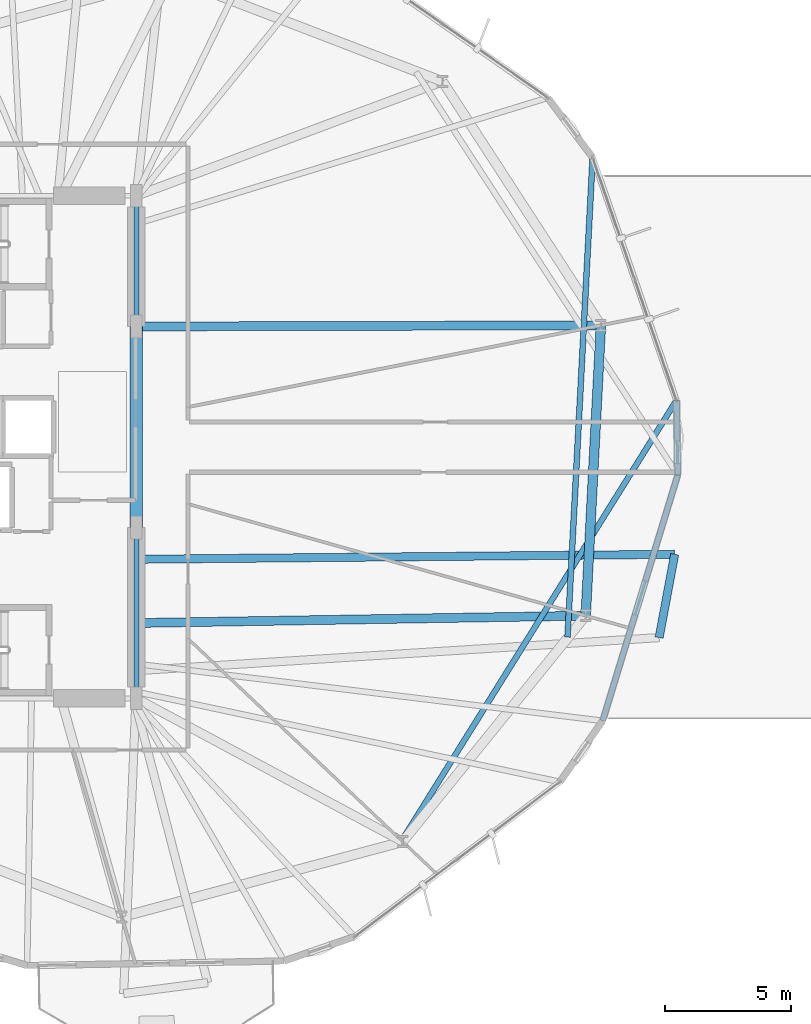
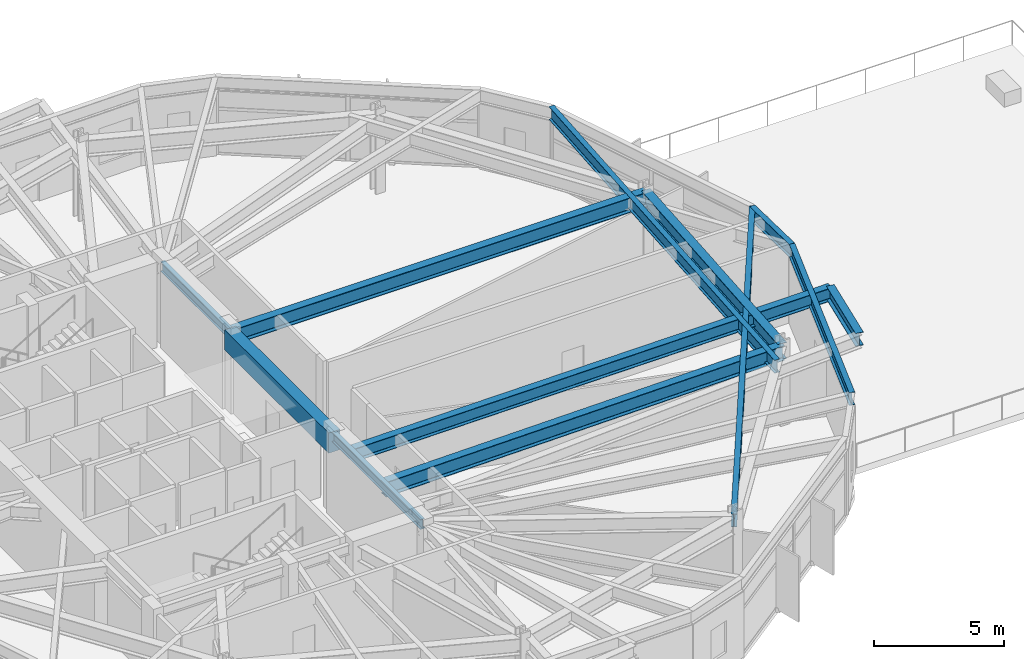
# One storey, part 9 of 23: 12 beams.
"""IFC4 building model written with IfcOpenShell, lengths in metres."""

from ifc_helpers import new_model, si_unit, direction, frame, origin, origin_2d, place, context, subcontext, project, spatial, rectangle, i_section, extrude, material, material_profile, profile_set, type_object, element, save


model = new_model("IFC4")

# Units and contexts
model_context = context("Model", 3, precision=1e-05, world=origin(), true_north=direction((0.0, 1.0)))
body_context = subcontext(model_context, "Body", "Model", "MODEL_VIEW")
ifc_project = project(units=[si_unit("LENGTHUNIT", "METRE"), si_unit("AREAUNIT", "SQUARE_METRE"), si_unit("VOLUMEUNIT", "CUBIC_METRE"), si_unit("PLANEANGLEUNIT", "RADIAN"), si_unit("MASSUNIT", "GRAM", prefix="KILO")], contexts=[model_context])

# Site, building, storey
site_placement = place(None, origin())
site = spatial("IfcSite", under=ifc_project, at=site_placement, CompositionType="ELEMENT")
building_placement = place(site_placement, origin())
building = spatial("IfcBuilding", under=site, at=building_placement, Name="Soratama Intermodal Tower", CompositionType="ELEMENT")
storey_placement = place(building_placement, frame((0.0, 0.0, 30.60009765625)))
storey = spatial("IfcBuildingStorey", under=building, at=storey_placement, Name="L06", CompositionType="ELEMENT", Elevation=30.60009765625)

# Beams
ifc_material_1 = material(Name="Structural steel ASTM A992 Grade 50", Category="steel")
ifc_material_profile_1 = material_profile(ifc_material_1, i_section(OverallWidth=0.324951171875, OverallDepth=0.615966796875, WebThickness=0.013916015625, FlangeThickness=0.021484375, FilletRadius=0.013916015625, at=origin_2d()), Name="W24X117")
ifc_profile_set_1 = profile_set([ifc_material_profile_1], Name="Structural steel ASTM A992 Grade 50")
beam_type_1 = type_object("IfcBeamType", Name="BM-CANT-W24X117", PredefinedType="BEAM", material=ifc_profile_set_1)
beam_1_placement = place(storey_placement, frame((65.39990234375, 17.4208984375, 3.391845703125), z_axis=(0.183702438916, 0.982981899089, 0.0), x_axis=(-0.982981899089, 0.183702438916, 0.0)))
element("IfcBeam", 1, at=beam_1_placement, inside=storey, type_object=beam_type_1, Name="BM-L06-CBHDR-1", PredefinedType="BEAM", context=body_context, shape_type="SweptSolid", body=[
    extrude(i_section(OverallWidth=0.324951171875, OverallDepth=0.615966796875, WebThickness=0.013916015625, FlangeThickness=0.021484375, FilletRadius=0.013916015625, at=origin_2d()), origin(), (0.0, 0.0, 1.0), 3.370361328125),
])
beam_2_placement = place(storey_placement, frame((44.639892578125, 20.537109375, 3.391845703125), z_axis=(0.999957644315, 0.009203780577, 0.0), x_axis=(-0.009203780577, 0.999957644315, 0.0)))
element("IfcBeam", 2, at=beam_2_placement, inside=storey, type_object=beam_type_1, Name="BM-L06-CANT-1-2", PredefinedType="BEAM", context=body_context, shape_type="SweptSolid", body=[
    extrude(i_section(OverallWidth=0.324951171875, OverallDepth=0.615966796875, WebThickness=0.013916015625, FlangeThickness=0.021484375, FilletRadius=0.013916015625, at=origin_2d()), origin(), (0.0, 0.0, 1.0), 21.380126953125),
])
ifc_material_2 = material(Name="Concrete f'c 56 MPa", Category="concrete")
ifc_material_profile_2 = material_profile(ifc_material_2, rectangle(XDim=0.5, YDim=0.949951171875, at=origin_2d()), Name="RC500X950")
ifc_profile_set_2 = profile_set([ifc_material_profile_2], Name="Concrete f'c 56 MPa")
beam_type_2 = type_object("IfcBeamType", Name="BM-CPL-RC500X950", PredefinedType="BEAM", material=ifc_profile_set_2)
beam_3_placement = place(storey_placement, frame((44.60009765625, 21.800048828125, 3.224853515625), z_axis=(0.0, 1.0, 0.0), x_axis=(-1.0, 0.0, 0.0)))
element("IfcBeam", 3, at=beam_3_placement, inside=storey, type_object=beam_type_2, Name="L06 Core Coupling Beam East", PredefinedType="BEAM", context=body_context, shape_type="SweptSolid", body=[
    extrude(rectangle(XDim=0.5, YDim=0.949951171875, at=origin_2d()), origin(), (0.0, 0.0, 1.0), 8.0),
])
ifc_material_3 = material(Name="Structural steel ASTM A992 Grade 50", Category="steel")
ifc_material_profile_3 = material_profile(ifc_material_3, i_section(OverallWidth=0.19091796875, OverallDepth=0.4599609375, WebThickness=0.010009765625, FlangeThickness=0.01611328125, FilletRadius=0.010986328125, at=origin_2d()), Name="W18X55")
ifc_profile_set_3 = profile_set([ifc_material_profile_3], Name="Structural steel ASTM A992 Grade 50")
beam_type_3 = type_object("IfcBeamType", Name="BM-FLR-W18X55", PredefinedType="BEAM", material=ifc_profile_set_3)
beam_4_placement = place(storey_placement, frame((44.60009765625, 15.0, 3.469970703125), z_axis=(0.0, 1.0, 0.0), x_axis=(-1.0, 0.0, 0.0)))
element("IfcBeam", 4, at=beam_4_placement, inside=storey, type_object=beam_type_3, Name="BM-L06-CRING-03", PredefinedType="BEAM", context=body_context, shape_type="SweptSolid", body=[
    extrude(i_section(OverallWidth=0.19091796875, OverallDepth=0.4599609375, WebThickness=0.010009765625, FlangeThickness=0.01611328125, FilletRadius=0.010986328125, at=origin_2d()), origin(), (0.0, 0.0, 1.0), 6.800048828125),
])
beam_5_placement = place(storey_placement, frame((44.60009765625, 29.800048828125, 3.469970703125), z_axis=(0.0, 1.0, 0.0), x_axis=(-1.0, 0.0, 0.0)))
element("IfcBeam", 5, at=beam_5_placement, inside=storey, type_object=beam_type_3, Name="BM-L06-CRING-05", PredefinedType="BEAM", context=body_context, shape_type="SweptSolid", body=[
    extrude(i_section(OverallWidth=0.19091796875, OverallDepth=0.4599609375, WebThickness=0.010009765625, FlangeThickness=0.01611328125, FilletRadius=0.010986328125, at=origin_2d()), origin(), (0.0, 0.0, 1.0), 5.199951171875),
])
ifc_material_4 = material(Name="Structural steel ASTM A992 Grade 50", Category="steel")
ifc_material_profile_4 = material_profile(ifc_material_4, i_section(OverallWidth=0.35498046875, OverallDepth=0.695068359375, WebThickness=0.015380859375, FlangeThickness=0.02490234375, FilletRadius=0.01611328125, at=origin_2d()), Name="W27X146")
ifc_profile_set_4 = profile_set([ifc_material_profile_4], Name="Structural steel ASTM A992 Grade 50")
beam_type_4 = type_object("IfcBeamType", Name="BM-RING-W27X146", PredefinedType="BEAM", material=ifc_profile_set_4)
beam_6_placement = place(storey_placement, frame((44.60009765625, 29.800048828125, 3.352294921875), z_axis=(0.999997046146, 0.002430575896, 0.0), x_axis=(-0.002430575896, 0.999997046146, 0.0)))
element("IfcBeam", 6, at=beam_6_placement, inside=storey, type_object=beam_type_4, Name="BM-L06-RAD-01", PredefinedType="BEAM", context=body_context, shape_type="SweptSolid", body=[
    extrude(i_section(OverallWidth=0.35498046875, OverallDepth=0.695068359375, WebThickness=0.015380859375, FlangeThickness=0.02490234375, FilletRadius=0.01611328125, at=origin_2d()), origin(), (0.0, 0.0, 1.0), 18.48193359375),
])
beam_7_placement = place(storey_placement, frame((44.60009765625, 18.0, 3.352294921875), z_axis=(0.999867526408, 0.016276659176, 0.0), x_axis=(-0.016276659176, 0.999867526408, 0.0)))
element("IfcBeam", 7, at=beam_7_placement, inside=storey, type_object=beam_type_4, Name="BM-L06-RAD-10", PredefinedType="BEAM", context=body_context, shape_type="SweptSolid", body=[
    extrude(i_section(OverallWidth=0.35498046875, OverallDepth=0.695068359375, WebThickness=0.015380859375, FlangeThickness=0.02490234375, FilletRadius=0.01611328125, at=origin_2d()), origin(), (0.0, 0.0, 1.0), 17.87939453125),
])
ifc_material_5 = material(Name="Structural steel ASTM A992 Grade 50", Category="steel")
ifc_material_profile_5 = material_profile(ifc_material_5, i_section(OverallWidth=0.382080078125, OverallDepth=0.779052734375, WebThickness=0.01806640625, FlangeThickness=0.030029296875, FilletRadius=0.01806640625, at=origin_2d()), Name="W30X191")
ifc_profile_set_5 = profile_set([ifc_material_profile_5], Name="Structural steel ASTM A992 Grade 50")
beam_type_5 = type_object("IfcBeamType", Name="BM-RING-W30X191", PredefinedType="BEAM", material=ifc_profile_set_5)
beam_8_placement = place(storey_placement, frame((62.47705078125, 18.291015625, 3.310302734375), z_axis=(0.052289698717, 0.998631957935, 0.0), x_axis=(-0.998631957935, 0.052289698717, 0.0)))
element("IfcBeam", 8, at=beam_8_placement, inside=storey, type_object=beam_type_5, Name="BM-L06-RING-10", PredefinedType="BEAM", context=body_context, shape_type="SweptSolid", body=[
    extrude(i_section(OverallWidth=0.382080078125, OverallDepth=0.779052734375, WebThickness=0.01806640625, FlangeThickness=0.030029296875, FilletRadius=0.01806640625, at=origin_2d()), origin(), (0.0, 0.0, 1.0), 11.56982421875),
])
ifc_material_6 = material(Name="Structural steel ASTM A992 Grade 50", Category="steel")
ifc_material_profile_6 = material_profile(ifc_material_6, i_section(OverallWidth=0.22900390625, OverallDepth=0.612060546875, WebThickness=0.011962890625, FlangeThickness=0.01953125, FilletRadius=0.012939453125, at=origin_2d()), Name="W24X84")
ifc_profile_set_6 = profile_set([ifc_material_profile_6], Name="Structural steel ASTM A992 Grade 50")
beam_type_6 = type_object("IfcBeamType", Name="BM-SPN-W24X84", PredefinedType="SPANDREL", material=ifc_profile_set_6)
beam_9_placement = place(storey_placement, frame((63.154052734375, 14.10888671875, 3.393798828125), z_axis=(0.291990553295, 0.956421202602, 0.0), x_axis=(-0.956421202602, 0.291990553295, 0.0)))
element("IfcBeam", 9, at=beam_9_placement, inside=storey, type_object=beam_type_6, Name="BS-L06-F10", PredefinedType="SPANDREL", context=body_context, shape_type="SweptSolid", body=[
    extrude(i_section(OverallWidth=0.22900390625, OverallDepth=0.612060546875, WebThickness=0.011962890625, FlangeThickness=0.01953125, FilletRadius=0.012939453125, at=origin_2d()), origin(), (0.0, 0.0, 1.0), 10.22998046875),
])
beam_10_placement = place(storey_placement, frame((66.14111328125, 23.89306640625, 3.393798828125), z_axis=(-0.017942451978, 0.999839021251, 0.0), x_axis=(-0.999839021251, -0.017942451978, 0.0)))
element("IfcBeam", 10, at=beam_10_placement, inside=storey, type_object=beam_type_6, Name="BS-L06-CRN10", PredefinedType="SPANDREL", context=body_context, shape_type="SweptSolid", body=[
    extrude(i_section(OverallWidth=0.22900390625, OverallDepth=0.612060546875, WebThickness=0.011962890625, FlangeThickness=0.01953125, FilletRadius=0.012939453125, at=origin_2d()), origin(), (0.0, 0.0, 1.0), 2.96630859375),
])
ifc_material_7 = material(Name="Structural steel ASTM A992 Grade 50", Category="steel")
ifc_material_profile_7 = material_profile(ifc_material_7, i_section(OverallWidth=0.22900390625, OverallDepth=0.612060546875, WebThickness=0.011962890625, FlangeThickness=0.01953125, FilletRadius=0.012939453125, at=origin_2d()), Name="W24X84")
ifc_profile_set_7 = profile_set([ifc_material_profile_7], Name="Structural steel ASTM A992 Grade 50")
beam_type_7 = type_object("IfcBeamType", Name="BM-TIE-W24X84", PredefinedType="BEAM", material=ifc_profile_set_7)
beam_11_placement = place(storey_placement, frame((55.14111328125, 9.31396484375, 3.393798828125), z_axis=(0.529345090262, 0.848406609719, 0.0), x_axis=(-0.848406609719, 0.529345090262, 0.0)))
element("IfcBeam", 11, at=beam_11_placement, inside=storey, type_object=beam_type_7, Name="BM-L06-TIE0-01", PredefinedType="BEAM", context=body_context, shape_type="SweptSolid", body=[
    extrude(i_section(OverallWidth=0.22900390625, OverallDepth=0.612060546875, WebThickness=0.011962890625, FlangeThickness=0.01953125, FilletRadius=0.012939453125, at=origin_2d()), origin(), (0.0, 0.0, 1.0), 20.679931640625),
])
beam_12_placement = place(storey_placement, frame((61.75390625, 17.43701171875, 3.393798828125), z_axis=(0.052300810856, 0.998631376026, 0.0), x_axis=(-0.998631376026, 0.052300810856, 0.0)))
element("IfcBeam", 12, at=beam_12_placement, inside=storey, type_object=beam_type_7, Name="BM-L06-TIE1-01", PredefinedType="BEAM", context=body_context, shape_type="SweptSolid", body=[
    extrude(i_section(OverallWidth=0.22900390625, OverallDepth=0.612060546875, WebThickness=0.011962890625, FlangeThickness=0.01953125, FilletRadius=0.012939453125, at=origin_2d()), origin(), (0.0, 0.0, 1.0), 19.1201171875),
])

save(model, "model.ifc")
